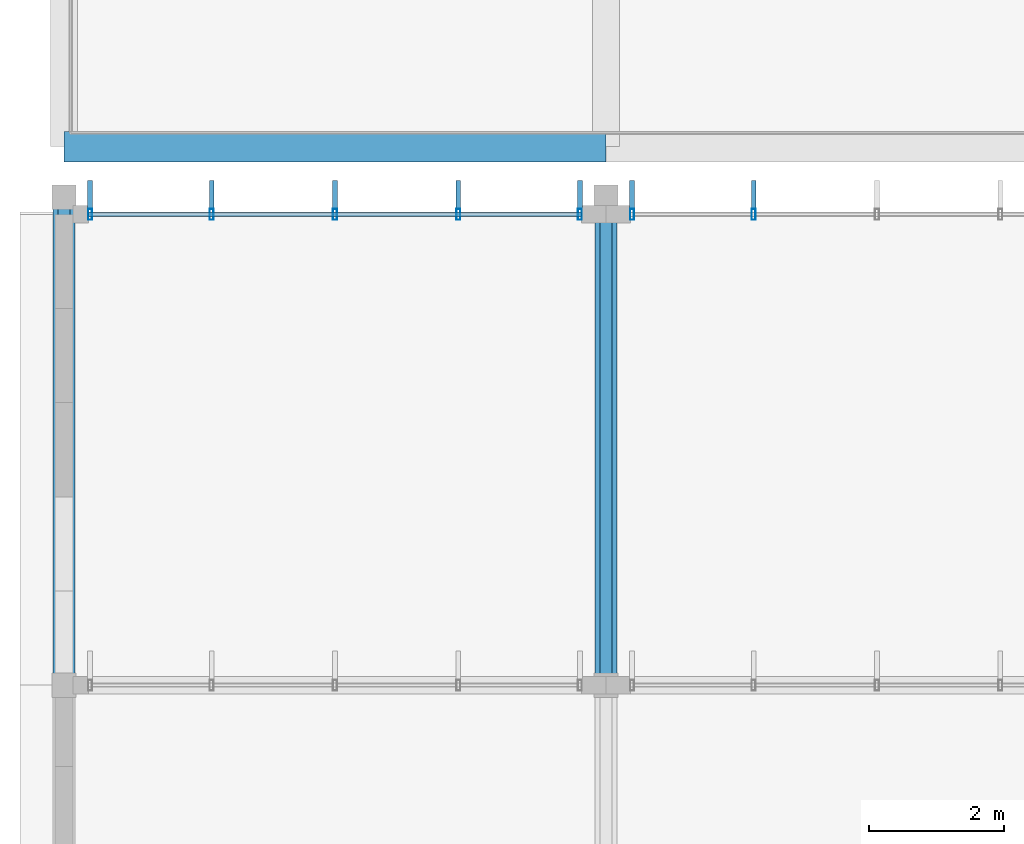
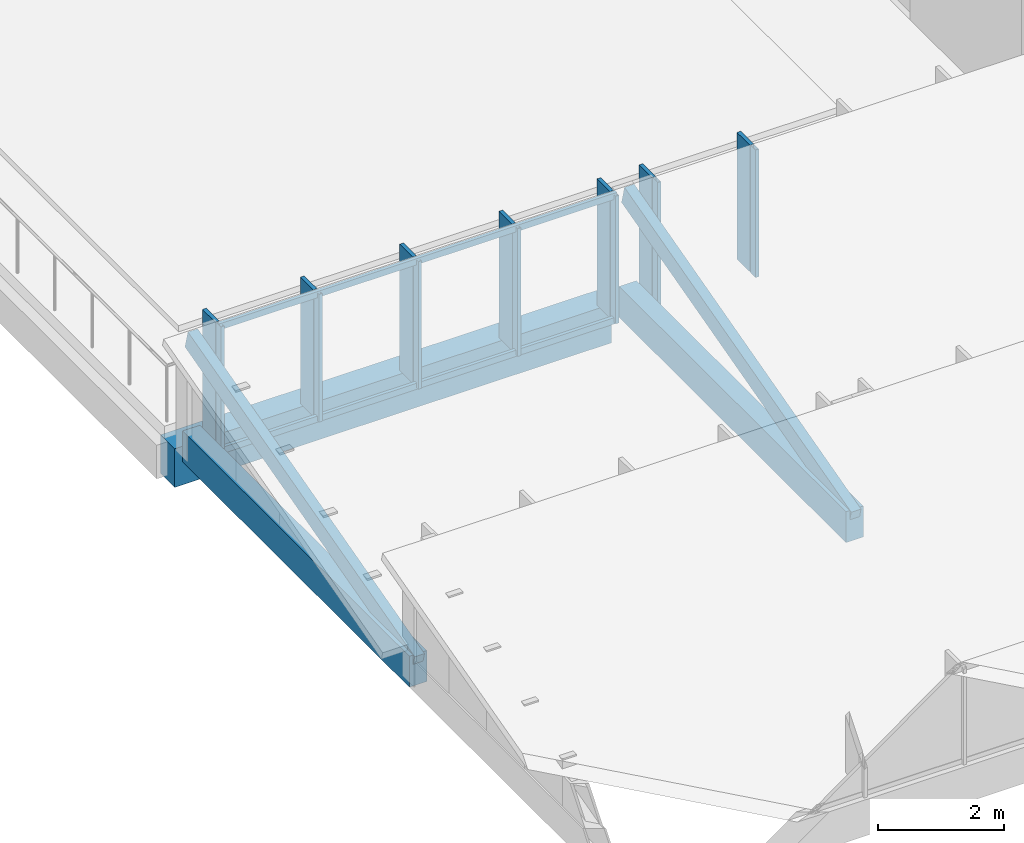
# One storey, part 36 of 94: 20 members, 1 beam, 2 elements without a shape of their own.
"""IFC4 building model written with IfcOpenShell, lengths in metres."""

from ifc_helpers import new_model, si_unit, direction, frame, origin, origin_2d, place, context, subcontext, project, spatial, rectangle, hollow_rectangle, extrude, material, material_profile, profile_set, type_object, element, aggregate, save


model = new_model("IFC4")

# Units and contexts
model_context = context("Model", 3, precision=1e-05, world=origin(), true_north=direction((0.0, 1.0)))
body_context = subcontext(model_context, "Body", "Model", "MODEL_VIEW")
ifc_project = project(units=[si_unit("LENGTHUNIT", "METRE"), si_unit("AREAUNIT", "SQUARE_METRE"), si_unit("VOLUMEUNIT", "CUBIC_METRE"), si_unit("PLANEANGLEUNIT", "RADIAN"), si_unit("MASSUNIT", "GRAM", prefix="KILO")], contexts=[model_context])

# Site, building, storey
site_placement = place(None, origin())
site = spatial("IfcSite", under=ifc_project, at=site_placement, CompositionType="ELEMENT")
building_placement = place(site_placement, origin())
building = spatial("IfcBuilding", under=site, at=building_placement, Name="Chiffa Square Polytechnic", CompositionType="ELEMENT")
storey_placement = place(building_placement, frame((0.0, 0.0, 18.0)))
storey = spatial("IfcBuildingStorey", under=building, at=storey_placement, Name="L04", CompositionType="ELEMENT", Elevation=18.0)

# Beam
ifc_material_1 = material(Name="Concrete C35/45", Category="concrete")
ifc_material_profile_1 = material_profile(ifc_material_1, rectangle(XDim=0.449951171875, YDim=0.75, at=origin_2d()), Name="RC 450x750")
ifc_profile_set_1 = profile_set([ifc_material_profile_1], Name="Concrete C35/45")
beam_type = type_object("IfcBeamType", Name="BM-RC-450X750", PredefinedType="BEAM", material=ifc_profile_set_1)
beam_placement = place(storey_placement, frame((0.0, 94.949951171875, -0.614990234375), z_axis=(1.0, 0.0, 0.0), x_axis=(0.0, 1.0, 0.0)))
element("IfcBeam", 1, at=beam_placement, inside=storey, type_object=beam_type, Name="Primary floor girder BM-V5-L04-X-0000-0950", PredefinedType="BEAM", context=body_context, shape_type="SweptSolid", body=[
    extrude(rectangle(XDim=0.449951171875, YDim=0.75, at=origin_2d()), origin(), (0.0, 0.0, 1.0), 8.0),
])

# Curtain wall, members
ifc_material_2 = material(Name="Aluminium EN AW-6060 T66 and glulam shading", Category="wood")
curtain_wall_type_1 = type_object("IfcCurtainWallType", Name="CW-VERT-600X440", PredefinedType="USERDEFINED", material=ifc_material_2)
curtain_wall_1_placement = place(storey_placement, origin())
curtain_wall_1 = element("IfcCurtainWall", 2, at=curtain_wall_1_placement, inside=storey, type_object=curtain_wall_type_1, Name="Curtain wall CW-V6-SAW8-1", ObjectType="CURTAIN WALL", PredefinedType="USERDEFINED")
ifc_material_3 = material(Name="Aluminium EN AW-6060 T66", Category="aluminium")
ifc_material_profile_2 = material_profile(ifc_material_3, hollow_rectangle(XDim=0.06005859375, YDim=0.159912109375, WallThickness=0.00390625, at=origin_2d()), Name="ALU 60x160x4")
ifc_profile_set_2 = profile_set([ifc_material_profile_2], Name="Aluminium EN AW-6060 T66")
member_type_1 = type_object("IfcMemberType", Name="CWM-ALU-65X150", PredefinedType="MULLION", material=ifc_profile_set_2)
member_1_placement = place(storey_placement, frame((7.614990234375, 93.949951171875, 0.0400390625), z_axis=(0.0, 0.0, 1.0), x_axis=(1.0, 0.0, 0.0)))
member_1 = element("IfcMember", 3, at=member_1_placement, type_object=member_type_1, Name="Curtain wall mullion CW-V6-SAW8-1-M00", PredefinedType="MULLION", context=body_context, shape_type="SweptSolid", body=[
    extrude(hollow_rectangle(XDim=0.06005859375, YDim=0.159912109375, WallThickness=0.00390625, at=origin_2d()), origin(), (0.0, 0.0, 1.0), 2.471923828125),
])
member_2_placement = place(storey_placement, frame((5.820068359375, 93.949951171875, 0.0400390625), z_axis=(0.0, 0.0, 1.0), x_axis=(1.0, 0.0, 0.0)))
member_2 = element("IfcMember", 4, at=member_2_placement, type_object=member_type_1, Name="Curtain wall mullion CW-V6-SAW8-1-M01", PredefinedType="MULLION", context=body_context, shape_type="SweptSolid", body=[
    extrude(hollow_rectangle(XDim=0.06005859375, YDim=0.159912109375, WallThickness=0.00390625, at=origin_2d()), origin(), (0.0, 0.0, 1.0), 2.471923828125),
])
member_3_placement = place(storey_placement, frame((4.0, 93.949951171875, 0.0400390625), z_axis=(0.0, 0.0, 1.0), x_axis=(1.0, 0.0, 0.0)))
member_3 = element("IfcMember", 5, at=member_3_placement, type_object=member_type_1, Name="Curtain wall mullion CW-V6-SAW8-1-M02", PredefinedType="MULLION", context=body_context, shape_type="SweptSolid", body=[
    extrude(hollow_rectangle(XDim=0.06005859375, YDim=0.159912109375, WallThickness=0.00390625, at=origin_2d()), origin(), (0.0, 0.0, 1.0), 2.471923828125),
])
member_4_placement = place(storey_placement, frame((2.179931640625, 93.949951171875, 0.0400390625), z_axis=(0.0, 0.0, 1.0), x_axis=(1.0, 0.0, 0.0)))
member_4 = element("IfcMember", 6, at=member_4_placement, type_object=member_type_1, Name="Curtain wall mullion CW-V6-SAW8-1-M03", PredefinedType="MULLION", context=body_context, shape_type="SweptSolid", body=[
    extrude(hollow_rectangle(XDim=0.06005859375, YDim=0.159912109375, WallThickness=0.00390625, at=origin_2d()), origin(), (0.0, 0.0, 1.0), 2.471923828125),
])
member_5_placement = place(storey_placement, frame((0.385009765625, 93.949951171875, 0.0400390625), z_axis=(0.0, 0.0, 1.0), x_axis=(1.0, 0.0, 0.0)))
member_5 = element("IfcMember", 7, at=member_5_placement, type_object=member_type_1, Name="Curtain wall mullion CW-V6-SAW8-1-M04", PredefinedType="MULLION", context=body_context, shape_type="SweptSolid", body=[
    extrude(hollow_rectangle(XDim=0.06005859375, YDim=0.159912109375, WallThickness=0.00390625, at=origin_2d()), origin(), (0.0, 0.0, 1.0), 2.471923828125),
])

curtain_wall_type_2 = type_object("IfcCurtainWallType", Name="CW-VERT-450X380", PredefinedType="USERDEFINED", material=ifc_material_2)
curtain_wall_2_placement = place(storey_placement, origin())
curtain_wall_2 = element("IfcCurtainWall", 8, at=curtain_wall_2_placement, inside=storey, type_object=curtain_wall_type_2, Name="Curtain wall CW-V6-SAW8-2", ObjectType="CURTAIN WALL", PredefinedType="USERDEFINED")
member_6_placement = place(storey_placement, frame((10.179931640625, 93.949951171875, 0.0400390625), z_axis=(0.0, 0.0, 1.0), x_axis=(1.0, 0.0, 0.0)))
member_6 = element("IfcMember", 9, at=member_6_placement, type_object=member_type_1, Name="Curtain wall mullion CW-V6-SAW8-2-M03", PredefinedType="MULLION", context=body_context, shape_type="SweptSolid", body=[
    extrude(hollow_rectangle(XDim=0.06005859375, YDim=0.159912109375, WallThickness=0.00390625, at=origin_2d()), origin(), (0.0, 0.0, 1.0), 2.471923828125),
])
member_7_placement = place(storey_placement, frame((8.385009765625, 93.949951171875, 0.0400390625), z_axis=(0.0, 0.0, 1.0), x_axis=(1.0, 0.0, 0.0)))
member_7 = element("IfcMember", 10, at=member_7_placement, type_object=member_type_1, Name="Curtain wall mullion CW-V6-SAW8-2-M04", PredefinedType="MULLION", context=body_context, shape_type="SweptSolid", body=[
    extrude(hollow_rectangle(XDim=0.06005859375, YDim=0.159912109375, WallThickness=0.00390625, at=origin_2d()), origin(), (0.0, 0.0, 1.0), 2.471923828125),
])

# Member
ifc_material_4 = material(Name="Glulam GL28h", Category="wood")
ifc_material_profile_3 = material_profile(ifc_material_4, rectangle(XDim=0.070068359375, YDim=0.419921875, at=origin_2d()), Name="GL28h 70x420")
ifc_profile_set_3 = profile_set([ifc_material_profile_3], Name="Glulam GL28h")
member_type_2 = type_object("IfcMemberType", Name="CWM-GL-70X420", PredefinedType="MULLION", material=ifc_profile_set_3)
member_8_placement = place(storey_placement, frame((7.614990234375, 94.241943359375, 0.050048828125), z_axis=(0.0, 0.0, 1.0), x_axis=(-1.0, 0.0, 0.0)))
member_8 = element("IfcMember", 11, at=member_8_placement, type_object=member_type_2, Name="Exterior glulam solar fin CW-V6-SAW8-1-FN00", PredefinedType="MULLION", context=body_context, shape_type="SweptSolid", body=[
    extrude(rectangle(XDim=0.070068359375, YDim=0.419921875, at=origin_2d()), origin(), (0.0, 0.0, 1.0), 2.451904296875),
])

member_9_placement = place(storey_placement, frame((5.820068359375, 94.241943359375, 0.050048828125), z_axis=(0.0, 0.0, 1.0), x_axis=(-1.0, 0.0, 0.0)))
member_9 = element("IfcMember", 12, at=member_9_placement, type_object=member_type_2, Name="Exterior glulam solar fin CW-V6-SAW8-1-FN01", PredefinedType="MULLION", context=body_context, shape_type="SweptSolid", body=[
    extrude(rectangle(XDim=0.070068359375, YDim=0.419921875, at=origin_2d()), origin(), (0.0, 0.0, 1.0), 2.451904296875),
])

member_10_placement = place(storey_placement, frame((4.0, 94.241943359375, 0.050048828125), z_axis=(0.0, 0.0, 1.0), x_axis=(-1.0, 0.0, 0.0)))
member_10 = element("IfcMember", 13, at=member_10_placement, type_object=member_type_2, Name="Exterior glulam solar fin CW-V6-SAW8-1-FN02", PredefinedType="MULLION", context=body_context, shape_type="SweptSolid", body=[
    extrude(rectangle(XDim=0.070068359375, YDim=0.419921875, at=origin_2d()), origin(), (0.0, 0.0, 1.0), 2.451904296875),
])

member_11_placement = place(storey_placement, frame((2.179931640625, 94.241943359375, 0.050048828125), z_axis=(0.0, 0.0, 1.0), x_axis=(-1.0, 0.0, 0.0)))
member_11 = element("IfcMember", 14, at=member_11_placement, type_object=member_type_2, Name="Exterior glulam solar fin CW-V6-SAW8-1-FN03", PredefinedType="MULLION", context=body_context, shape_type="SweptSolid", body=[
    extrude(rectangle(XDim=0.070068359375, YDim=0.419921875, at=origin_2d()), origin(), (0.0, 0.0, 1.0), 2.451904296875),
])

member_12_placement = place(storey_placement, frame((0.385009765625, 94.241943359375, 0.050048828125), z_axis=(0.0, 0.0, 1.0), x_axis=(-1.0, 0.0, 0.0)))
member_12 = element("IfcMember", 15, at=member_12_placement, type_object=member_type_2, Name="Exterior glulam solar fin CW-V6-SAW8-1-FN04", PredefinedType="MULLION", context=body_context, shape_type="SweptSolid", body=[
    extrude(rectangle(XDim=0.070068359375, YDim=0.419921875, at=origin_2d()), origin(), (0.0, 0.0, 1.0), 2.451904296875),
])

member_13_placement = place(storey_placement, frame((10.179931640625, 94.241943359375, 0.050048828125), z_axis=(0.0, 0.0, 1.0), x_axis=(-1.0, 0.0, 0.0)))
member_13 = element("IfcMember", 16, at=member_13_placement, type_object=member_type_2, Name="Exterior glulam solar fin CW-V6-SAW8-2-FN03", PredefinedType="MULLION", context=body_context, shape_type="SweptSolid", body=[
    extrude(rectangle(XDim=0.070068359375, YDim=0.419921875, at=origin_2d()), origin(), (0.0, 0.0, 1.0), 2.451904296875),
])

member_14_placement = place(storey_placement, frame((8.385009765625, 94.241943359375, 0.050048828125), z_axis=(0.0, 0.0, 1.0), x_axis=(-1.0, 0.0, 0.0)))
member_14 = element("IfcMember", 17, at=member_14_placement, type_object=member_type_2, Name="Exterior glulam solar fin CW-V6-SAW8-2-FN04", PredefinedType="MULLION", context=body_context, shape_type="SweptSolid", body=[
    extrude(rectangle(XDim=0.070068359375, YDim=0.419921875, at=origin_2d()), origin(), (0.0, 0.0, 1.0), 2.451904296875),
])

aggregate(curtain_wall_2, [member_6, member_13, member_7, member_14])

ifc_material_profile_4 = material_profile(ifc_material_3, hollow_rectangle(XDim=0.06005859375, YDim=0.1201171875, WallThickness=0.00390625, at=origin_2d()), Name="ALU 60x120x4")
ifc_profile_set_4 = profile_set([ifc_material_profile_4], Name="Aluminium EN AW-6060 T66")
member_type_3 = type_object("IfcMemberType", Name="CWT-ALU-65X120", PredefinedType="USERDEFINED", material=ifc_profile_set_4)
member_15_placement = place(storey_placement, frame((7.64208984375, 93.949951171875, 0.070068359375), z_axis=(-1.0, 0.0, 0.0), x_axis=(0.0, -1.0, 0.0)))
member_15 = element("IfcMember", 18, at=member_15_placement, type_object=member_type_3, Name="Curtain wall transom CW-V6-SAW8-1-T01", ObjectType="TRANSOM", PredefinedType="USERDEFINED", context=body_context, shape_type="SweptSolid", body=[
    extrude(hollow_rectangle(XDim=0.06005859375, YDim=0.1201171875, WallThickness=0.00390625, at=origin_2d()), origin(), (0.0, 0.0, 1.0), 7.2841796875),
])

member_16_placement = place(storey_placement, frame((7.64208984375, 93.949951171875, 2.48193359375), z_axis=(-1.0, 0.0, 0.0), x_axis=(0.0, -1.0, 0.0)))
member_16 = element("IfcMember", 19, at=member_16_placement, type_object=member_type_3, Name="Curtain wall transom CW-V6-SAW8-1-T02", ObjectType="TRANSOM", PredefinedType="USERDEFINED", context=body_context, shape_type="SweptSolid", body=[
    extrude(hollow_rectangle(XDim=0.06005859375, YDim=0.1201171875, WallThickness=0.00390625, at=origin_2d()), origin(), (0.0, 0.0, 1.0), 7.2841796875),
])

aggregate(curtain_wall_1, [member_1, member_8, member_2, member_9, member_3, member_10, member_4, member_11, member_5, member_12, member_15, member_16])

# Members
ifc_material_5 = material(Name="Glulam GL32c", Category="wood")
ifc_material_profile_5 = material_profile(ifc_material_5, rectangle(XDim=0.320068359375, YDim=0.60009765625, at=origin_2d()), Name="GL32c 320x600")
ifc_profile_set_5 = profile_set([ifc_material_profile_5], Name="Glulam GL32c")
member_type_4 = type_object("IfcMemberType", Name="MEM-CHORD-GL320", PredefinedType="CHORD", material=ifc_profile_set_5)
for number, where, z_axis, x_axis, name in (
    (20, (0.0, 87.0, 0.179931640625), (0.0, 1.0, 0.0), (-1.0, 0.0, 0.0), "Studio sawtooth tie chord TCB-V6-SAW-036"),
    (21, (8.0, 87.0, 0.179931640625), (0.0, 1.0, 0.0), (-1.0, 0.0, 0.0), "Studio sawtooth tie chord TCB-V6-SAW-037"),
):
    element("IfcMember", number, at=place(storey_placement, frame(where, z_axis=z_axis, x_axis=x_axis)), inside=storey, type_object=member_type_4, Name=name, PredefinedType="CHORD", context=body_context, shape_type="SweptSolid", body=[
        extrude(rectangle(XDim=0.320068359375, YDim=0.60009765625, at=origin_2d()), origin(), (0.0, 0.0, 1.0), 7.199951171875),
    ])
ifc_material_profile_6 = material_profile(ifc_material_4, rectangle(XDim=0.179931640625, YDim=0.360107421875, at=origin_2d()), Name="GL28h 180x360")
ifc_profile_set_6 = profile_set([ifc_material_profile_6], Name="Glulam GL28h")
member_type_5 = type_object("IfcMemberType", Name="MEM-RFT-GL180", PredefinedType="RAFTER", material=ifc_profile_set_6)
for number, where, z_axis, x_axis, name in (
    (22, (0.0, 87.0, 0.300048828125), (0.0, 0.965934748059, 0.258785746309), (-1.0, 0.0, 0.0), "Studio sawtooth glulam rafter RF-V6-L04-036"),
    (23, (8.0, 87.0, 0.300048828125), (0.0, 0.965934748059, 0.258785746309), (-1.0, 0.0, 0.0), "Studio sawtooth glulam rafter RF-V6-L04-037"),
):
    element("IfcMember", number, at=place(storey_placement, frame(where, z_axis=z_axis, x_axis=x_axis)), inside=storey, type_object=member_type_5, Name=name, PredefinedType="RAFTER", context=body_context, shape_type="SweptSolid", body=[
        extrude(rectangle(XDim=0.179931640625, YDim=0.360107421875, at=origin_2d()), origin(), (0.0, 0.0, 1.0), 7.453857421875),
    ])

save(model, "model.ifc")
